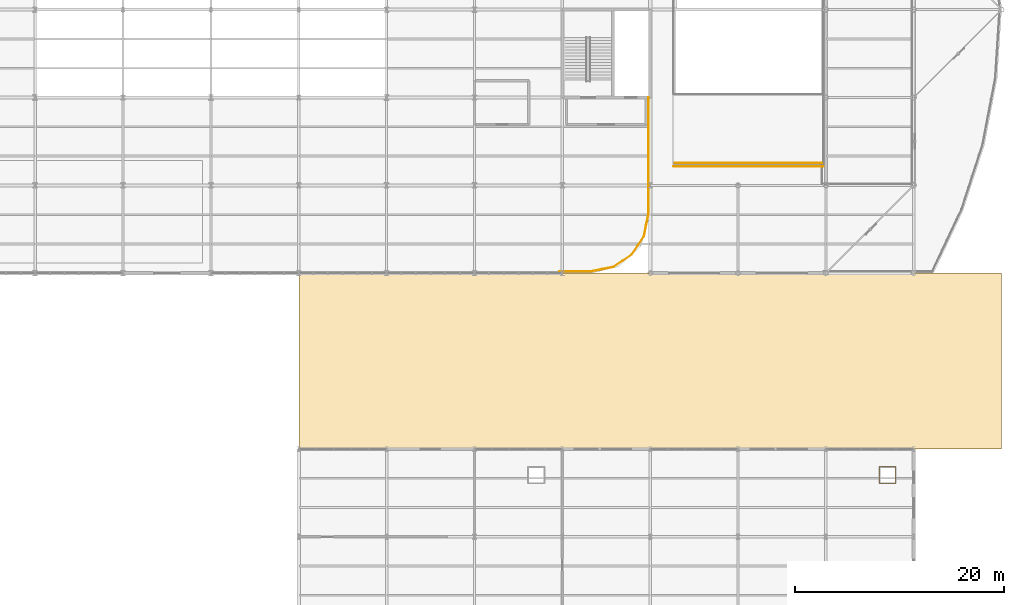
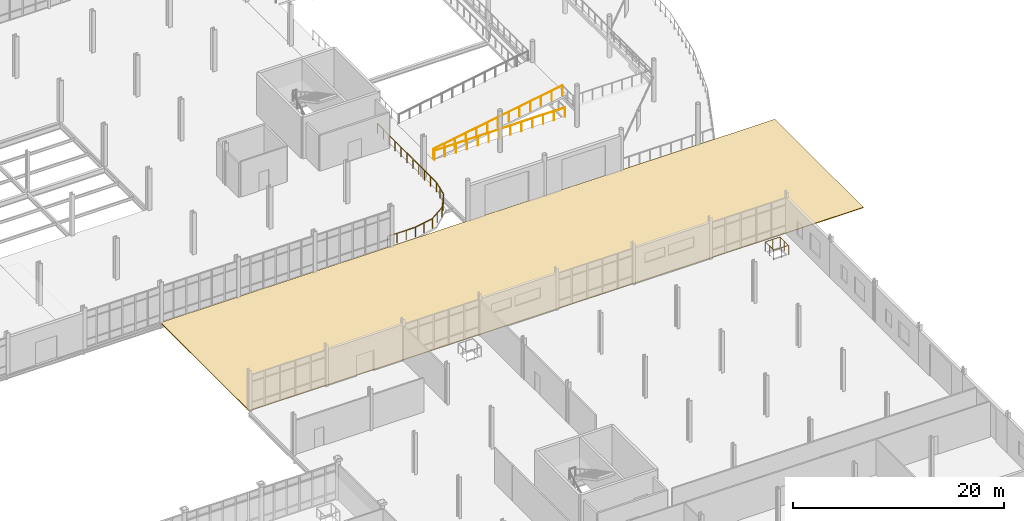
# One storey, part 143 of 145: 4 railings, 1 covering.
"""IFC4 building model written with IfcOpenShell, lengths in metres."""

from ifc_helpers import new_model, si_unit, direction, frame, origin, origin_2d, place, context, subcontext, project, spatial, polyline, circle, outline, extrude, material, layer, layer_set, type_object, element, save


model = new_model("IFC4")

# Units and contexts
model_context = context("Model", 3, precision=1e-05, world=origin(), true_north=direction((0.0, 1.0)))
body_context = subcontext(model_context, "Body", "Model", "MODEL_VIEW")
ifc_project = project(units=[si_unit("LENGTHUNIT", "METRE"), si_unit("AREAUNIT", "SQUARE_METRE"), si_unit("VOLUMEUNIT", "CUBIC_METRE"), si_unit("PLANEANGLEUNIT", "RADIAN"), si_unit("MASSUNIT", "GRAM", prefix="KILO")], contexts=[model_context])

# Site, building, storey
site_placement = place(None, origin())
site = spatial("IfcSite", under=ifc_project, at=site_placement, CompositionType="ELEMENT")
building_placement = place(site_placement, origin())
building = spatial("IfcBuilding", under=site, at=building_placement, Name="Qalvenar Corner Mobility Hub", CompositionType="ELEMENT")
storey_placement = place(building_placement, origin())
storey = spatial("IfcBuildingStorey", under=building, at=storey_placement, Name="L00", CompositionType="ELEMENT", Elevation=0.0)

# Covering
ifc_material_1 = material(Name="Heavy-Duty Interlocking Concrete Apron Paving C40/50", Category="concrete")
ifc_layer = layer(ifc_material_1, 0.080078125)
ifc_layer_set = layer_set([ifc_layer], Name="Heavy-Duty Interlocking Concrete Apron Paving C40/50")
covering_type = type_object("IfcCoveringType", Name="COV-PAV-ROAD", PredefinedType="USERDEFINED", material=ifc_layer_set)
covering_placement = place(storey_placement, frame((0.0, 0.0, -0.080078125)))
element("IfcCovering", 1, at=covering_placement, inside=storey, type_object=covering_type, Name="Eastern Transit Bus and Ramp Entry Apron", ObjectType="ROADWAY", PredefinedType="USERDEFINED", context=body_context, shape_type="SweptSolid", body=[
    extrude(outline(polyline([(109.199951171875, 50.39990234375), (176.39990234375, 50.39990234375), (176.39990234375, 67.199951171875), (109.199951171875, 67.199951171875), (109.199951171875, 50.39990234375)])), origin(), (0.0, 0.0, 1.0), 0.080078125),
])

# Railings
ifc_material_2 = material(Name="Galvanised Steel Deck Edge Barrier", Category="steel")
railing_type = type_object("IfcRailingType", Name="RL-GUARD-115", PredefinedType="GUARDRAIL", material=ifc_material_2)
railing_1_placement = place(storey_placement, frame((164.699951171875, 47.10009765625, 0.0)))
element("IfcRailing", 2, at=railing_1_placement, inside=storey, type_object=railing_type, Name="Riser Opening Guard V6-B-L00", PredefinedType="GUARDRAIL", context=body_context, shape_type="SweptSolid", body=[
    extrude(circle(Radius=0.02392578125, at=origin_2d()), frame((0.0, 0.0, 1.1259765625), z_axis=(1.0, 0.0, 0.0), x_axis=(0.0, 1.0, 0.0)), (0.0, 0.0, 1.0), 1.60009765625),
    extrude(circle(Radius=0.02392578125, at=origin_2d()), frame((1.60009765625, 0.0, 1.1259765625), z_axis=(0.0, 1.0, 0.0), x_axis=(-1.0, 0.0, 0.0)), (0.0, 0.0, 1.0), 1.599853515625),
    extrude(circle(Radius=0.02392578125, at=origin_2d()), frame((1.60009765625, 1.599853515625, 1.1259765625), z_axis=(-1.0, 0.0, 0.0), x_axis=(0.0, -1.0, 0.0)), (0.0, 0.0, 1.0), 1.60009765625),
    extrude(circle(Radius=0.02392578125, at=origin_2d()), frame((0.0, 1.599853515625, 1.1259765625), z_axis=(0.0, -1.0, 0.0), x_axis=(1.0, 0.0, 0.0)), (0.0, 0.0, 1.0), 1.599853515625),
    extrude(circle(Radius=0.02099609375, at=origin_2d()), origin(), (0.0, 0.0, 1.0), 1.101806640625),
    extrude(circle(Radius=0.02099609375, at=origin_2d()), frame((0.800048828125, 0.0, 0.0)), (0.0, 0.0, 1.0), 1.101806640625),
    extrude(circle(Radius=0.02099609375, at=origin_2d()), frame((1.60009765625, 0.0, 0.0)), (0.0, 0.0, 1.0), 1.101806640625),
    extrude(circle(Radius=0.02099609375, at=origin_2d()), frame((1.60009765625, 0.7998046875, 0.0)), (0.0, 0.0, 1.0), 1.101806640625),
    extrude(circle(Radius=0.02099609375, at=origin_2d()), frame((1.60009765625, 1.599853515625, 0.0)), (0.0, 0.0, 1.0), 1.101806640625),
    extrude(circle(Radius=0.02099609375, at=origin_2d()), frame((0.800048828125, 1.599853515625, 0.0)), (0.0, 0.0, 1.0), 1.101806640625),
    extrude(circle(Radius=0.02099609375, at=origin_2d()), frame((0.0, 1.599853515625, 0.0)), (0.0, 0.0, 1.0), 1.101806640625),
    extrude(circle(Radius=0.02099609375, at=origin_2d()), frame((0.0, 0.7998046875, 0.0)), (0.0, 0.0, 1.0), 1.101806640625),
])
railing_2_placement = place(storey_placement, frame((145.14990234375, 77.719970703125, 0.0)))
element("IfcRailing", 3, at=railing_2_placement, inside=storey, type_object=railing_type, Name="Ramp Guardrail L00-L01-GR3", PredefinedType="GUARDRAIL", context=body_context, shape_type="SweptSolid", body=[
    extrude(circle(Radius=0.02392578125, at=origin_2d()), frame((0.0, 0.0, 1.1259765625), z_axis=(0.985822491444, 0.0, 0.167791583109), x_axis=(0.0, 1.0, 0.0)), (0.0, 0.0, 1.0), 14.302978515625),
    extrude(circle(Radius=0.02099609375, at=origin_2d()), origin(), (0.0, 0.0, 1.0), 1.101806640625),
    extrude(circle(Radius=0.02099609375, at=origin_2d()), frame((1.175048828125, 0.0, 0.199951171875)), (0.0, 0.0, 1.0), 1.101806640625),
    extrude(circle(Radius=0.02099609375, at=origin_2d()), frame((2.35009765625, 0.0, 0.39990234375)), (0.0, 0.0, 1.0), 1.101806640625),
    extrude(circle(Radius=0.02099609375, at=origin_2d()), frame((3.52490234375, 0.0, 0.60009765625)), (0.0, 0.0, 1.0), 1.101806640625),
    extrude(circle(Radius=0.02099609375, at=origin_2d()), frame((4.699951171875, 0.0, 0.800048828125)), (0.0, 0.0, 1.0), 1.101806640625),
    extrude(circle(Radius=0.02099609375, at=origin_2d()), frame((5.875, 0.0, 1.0)), (0.0, 0.0, 1.0), 1.101806640625),
    extrude(circle(Radius=0.02099609375, at=origin_2d()), frame((7.050048828125, 0.0, 1.199951171875)), (0.0, 0.0, 1.0), 1.101806640625),
    extrude(circle(Radius=0.02099609375, at=origin_2d()), frame((8.22509765625, 0.0, 1.39990234375)), (0.0, 0.0, 1.0), 1.101806640625),
    extrude(circle(Radius=0.02099609375, at=origin_2d()), frame((9.400146484375, 0.0, 1.599853515625)), (0.0, 0.0, 1.0), 1.101806640625),
    extrude(circle(Radius=0.02099609375, at=origin_2d()), frame((10.5751953125, 0.0, 1.7998046875)), (0.0, 0.0, 1.0), 1.101806640625),
    extrude(circle(Radius=0.02099609375, at=origin_2d()), frame((11.75, 0.0, 2.0)), (0.0, 0.0, 1.0), 1.101806640625),
    extrude(circle(Radius=0.02099609375, at=origin_2d()), frame((12.925048828125, 0.0, 2.199951171875)), (0.0, 0.0, 1.0), 1.101806640625),
    extrude(circle(Radius=0.02099609375, at=origin_2d()), frame((14.10009765625, 0.0, 2.39990234375)), (0.0, 0.0, 1.0), 1.101806640625),
])
railing_3_placement = place(storey_placement, frame((134.14990234375, 67.3798828125, 0.0)))
element("IfcRailing", 4, at=railing_3_placement, inside=storey, type_object=railing_type, Name="Ground Corner Barrier L00-SE", PredefinedType="GUARDRAIL", context=body_context, shape_type="SweptSolid", body=[
    extrude(circle(Radius=0.02392578125, at=origin_2d()), frame((0.0, 0.0, 1.1259765625), z_axis=(1.0, 0.0, 0.0), x_axis=(0.0, 1.0, 0.0)), (0.0, 0.0, 1.0), 3.050048828125),
    extrude(circle(Radius=0.02392578125, at=origin_2d()), frame((3.050048828125, 0.0, 1.1259765625), z_axis=(0.980784385213, 0.195094822388, 0.0), x_axis=(-0.195094822388, 0.980784385213, 0.0)), (0.0, 0.0, 1.0), 2.11474609375),
    extrude(circle(Radius=0.02392578125, at=origin_2d()), frame((5.124267578125, 0.41259765625, 1.1259765625), z_axis=(0.831428149991, 0.555632280742, 0.0), x_axis=(-0.555632280742, 0.831428149991, 0.0)), (0.0, 0.0, 1.0), 2.11474609375),
    extrude(circle(Radius=0.02392578125, at=origin_2d()), frame((6.882568359375, 1.587646484375, 1.1259765625), z_axis=(0.555632280742, 0.831428149991, 0.0), x_axis=(-0.831428149991, 0.555632280742, 0.0)), (0.0, 0.0, 1.0), 2.11474609375),
    extrude(circle(Radius=0.02392578125, at=origin_2d()), frame((8.0576171875, 3.345947265625, 1.1259765625), z_axis=(0.195094822388, 0.980784385213, 0.0), x_axis=(-0.980784385213, 0.195094822388, 0.0)), (0.0, 0.0, 1.0), 2.11474609375),
    extrude(circle(Radius=0.02392578125, at=origin_2d()), frame((8.47021484375, 5.420166015625, 1.1259765625), z_axis=(0.0, 1.0, 0.0), x_axis=(-1.0, 0.0, 0.0)), (0.0, 0.0, 1.0), 11.199951171875),
    extrude(circle(Radius=0.02099609375, at=origin_2d()), origin(), (0.0, 0.0, 1.0), 1.101806640625),
    extrude(circle(Radius=0.02099609375, at=origin_2d()), frame((1.0166015625, 0.0, 0.0)), (0.0, 0.0, 1.0), 1.101806640625),
    extrude(circle(Radius=0.02099609375, at=origin_2d()), frame((2.033447265625, 0.0, 0.0)), (0.0, 0.0, 1.0), 1.101806640625),
    extrude(circle(Radius=0.02099609375, at=origin_2d()), frame((3.050048828125, 0.0, 0.0)), (0.0, 0.0, 1.0), 1.101806640625),
    extrude(circle(Radius=0.02099609375, at=origin_2d()), frame((4.087158203125, 0.206298828125, 0.0)), (0.0, 0.0, 1.0), 1.101806640625),
    extrude(circle(Radius=0.02099609375, at=origin_2d()), frame((5.124267578125, 0.41259765625, 0.0)), (0.0, 0.0, 1.0), 1.101806640625),
    extrude(circle(Radius=0.02099609375, at=origin_2d()), frame((6.00341796875, 1.0, 0.0)), (0.0, 0.0, 1.0), 1.101806640625),
    extrude(circle(Radius=0.02099609375, at=origin_2d()), frame((6.882568359375, 1.587646484375, 0.0)), (0.0, 0.0, 1.0), 1.101806640625),
    extrude(circle(Radius=0.02099609375, at=origin_2d()), frame((7.47021484375, 2.466796875, 0.0)), (0.0, 0.0, 1.0), 1.101806640625),
    extrude(circle(Radius=0.02099609375, at=origin_2d()), frame((8.0576171875, 3.345947265625, 0.0)), (0.0, 0.0, 1.0), 1.101806640625),
    extrude(circle(Radius=0.02099609375, at=origin_2d()), frame((8.263916015625, 4.383056640625, 0.0)), (0.0, 0.0, 1.0), 1.101806640625),
    extrude(circle(Radius=0.02099609375, at=origin_2d()), frame((8.47021484375, 5.420166015625, 0.0)), (0.0, 0.0, 1.0), 1.101806640625),
    extrude(circle(Radius=0.02099609375, at=origin_2d()), frame((8.47021484375, 6.5400390625, 0.0)), (0.0, 0.0, 1.0), 1.101806640625),
    extrude(circle(Radius=0.02099609375, at=origin_2d()), frame((8.47021484375, 7.66015625, 0.0)), (0.0, 0.0, 1.0), 1.101806640625),
    extrude(circle(Radius=0.02099609375, at=origin_2d()), frame((8.47021484375, 8.7802734375, 0.0)), (0.0, 0.0, 1.0), 1.101806640625),
    extrude(circle(Radius=0.02099609375, at=origin_2d()), frame((8.47021484375, 9.900146484375, 0.0)), (0.0, 0.0, 1.0), 1.101806640625),
    extrude(circle(Radius=0.02099609375, at=origin_2d()), frame((8.47021484375, 11.02001953125, 0.0)), (0.0, 0.0, 1.0), 1.101806640625),
    extrude(circle(Radius=0.02099609375, at=origin_2d()), frame((8.47021484375, 12.14013671875, 0.0)), (0.0, 0.0, 1.0), 1.101806640625),
    extrude(circle(Radius=0.02099609375, at=origin_2d()), frame((8.47021484375, 13.26025390625, 0.0)), (0.0, 0.0, 1.0), 1.101806640625),
    extrude(circle(Radius=0.02099609375, at=origin_2d()), frame((8.47021484375, 14.380126953125, 0.0)), (0.0, 0.0, 1.0), 1.101806640625),
    extrude(circle(Radius=0.02099609375, at=origin_2d()), frame((8.47021484375, 15.5, 0.0)), (0.0, 0.0, 1.0), 1.101806640625),
    extrude(circle(Radius=0.02099609375, at=origin_2d()), frame((8.47021484375, 16.6201171875, 0.0)), (0.0, 0.0, 1.0), 1.101806640625),
])
railing_4_placement = place(storey_placement, frame((145.050048828125, 77.419921875, 0.0)))
element("IfcRailing", 5, at=railing_4_placement, inside=storey, type_object=railing_type, Name="Ramp Well Guardrail South L00", PredefinedType="GUARDRAIL", context=body_context, shape_type="SweptSolid", body=[
    extrude(circle(Radius=0.02392578125, at=origin_2d()), frame((0.0, 0.0, 1.1259765625), z_axis=(1.0, 0.0, 0.0), x_axis=(0.0, 1.0, 0.0)), (0.0, 0.0, 1.0), 14.300048828125),
    extrude(circle(Radius=0.02099609375, at=origin_2d()), origin(), (0.0, 0.0, 1.0), 1.101806640625),
    extrude(circle(Radius=0.02099609375, at=origin_2d()), frame((1.191650390625, 0.0, 0.0)), (0.0, 0.0, 1.0), 1.101806640625),
    extrude(circle(Radius=0.02099609375, at=origin_2d()), frame((2.38330078125, 0.0, 0.0)), (0.0, 0.0, 1.0), 1.101806640625),
    extrude(circle(Radius=0.02099609375, at=origin_2d()), frame((3.574951171875, 0.0, 0.0)), (0.0, 0.0, 1.0), 1.101806640625),
    extrude(circle(Radius=0.02099609375, at=origin_2d()), frame((4.7666015625, 0.0, 0.0)), (0.0, 0.0, 1.0), 1.101806640625),
    extrude(circle(Radius=0.02099609375, at=origin_2d()), frame((5.958251953125, 0.0, 0.0)), (0.0, 0.0, 1.0), 1.101806640625),
    extrude(circle(Radius=0.02099609375, at=origin_2d()), frame((7.14990234375, 0.0, 0.0)), (0.0, 0.0, 1.0), 1.101806640625),
    extrude(circle(Radius=0.02099609375, at=origin_2d()), frame((8.341796875, 0.0, 0.0)), (0.0, 0.0, 1.0), 1.101806640625),
    extrude(circle(Radius=0.02099609375, at=origin_2d()), frame((9.533447265625, 0.0, 0.0)), (0.0, 0.0, 1.0), 1.101806640625),
    extrude(circle(Radius=0.02099609375, at=origin_2d()), frame((10.72509765625, 0.0, 0.0)), (0.0, 0.0, 1.0), 1.101806640625),
    extrude(circle(Radius=0.02099609375, at=origin_2d()), frame((11.916748046875, 0.0, 0.0)), (0.0, 0.0, 1.0), 1.101806640625),
    extrude(circle(Radius=0.02099609375, at=origin_2d()), frame((13.1083984375, 0.0, 0.0)), (0.0, 0.0, 1.0), 1.101806640625),
    extrude(circle(Radius=0.02099609375, at=origin_2d()), frame((14.300048828125, 0.0, 0.0)), (0.0, 0.0, 1.0), 1.101806640625),
])

save(model, "model.ifc")
